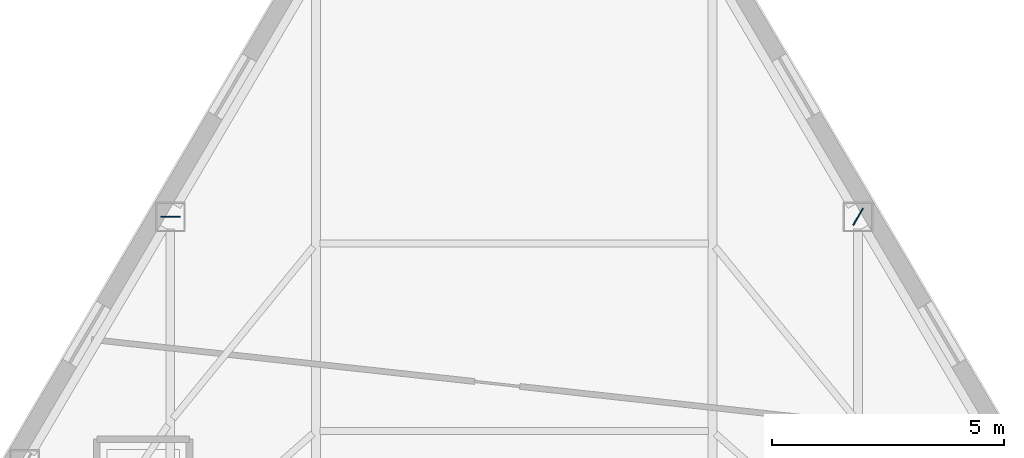
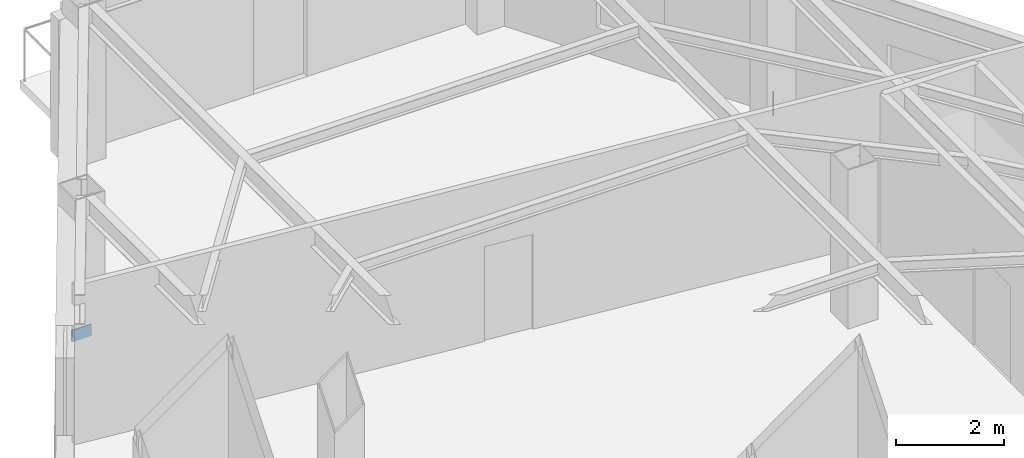
# One storey, part 6 of 12: 2 plates.
"""IFC4 building model written with IfcOpenShell, lengths in metres."""

from ifc_helpers import new_model, si_unit, direction, frame, origin, origin_2d, place, context, subcontext, project, spatial, rectangle, extrude, material, layer, layer_set, type_object, element, save


model = new_model("IFC4")

# Units and contexts
model_context = context("Model", 3, precision=1e-05, world=origin(), true_north=direction((0.0, 1.0)))
body_context = subcontext(model_context, "Body", "Model", "MODEL_VIEW")
ifc_project = project(units=[si_unit("LENGTHUNIT", "METRE"), si_unit("AREAUNIT", "SQUARE_METRE"), si_unit("VOLUMEUNIT", "CUBIC_METRE"), si_unit("PLANEANGLEUNIT", "RADIAN"), si_unit("MASSUNIT", "GRAM", prefix="KILO")], contexts=[model_context])

# Site, building, storey
site_placement = place(None, origin())
site = spatial("IfcSite", under=ifc_project, at=site_placement, CompositionType="ELEMENT")
building_placement = place(site_placement, origin())
building = spatial("IfcBuilding", under=site, at=building_placement, Name="Kavelnor Concourse Tower", CompositionType="ELEMENT")
storey_placement = place(building_placement, frame((0.0, 0.0, 203.5)))
storey = spatial("IfcBuildingStorey", under=building, at=storey_placement, Name="L51", CompositionType="ELEMENT", Elevation=203.5)

# Plates
ifc_material = material(Name="Steel Grade 350", Category="steel")
ifc_layer = layer(ifc_material, 0.02490234375, Name="Steel Grade 350")
ifc_layer_set = layer_set([ifc_layer], Name="Steel Grade 350")
plate_type = type_object("IfcPlateType", Name="PL-SPLICE-FLANGE", PredefinedType="SHEET", material=ifc_layer_set)
for number, where, z_axis, x_axis, name in (
    (1, (30.585205078125, 38.12060546875, 0.169921875), (0.0, 0.0, 1.0), (1.0, 0.0, 0.0), "L51 Column Flange Splice Plate F0-B1"),
    (2, (45.414794921875, 38.12060546875, 0.169921875), (0.0, 0.0, 1.0), (-0.5, -0.866025403784, 0.0), "L51 Column Flange Splice Plate F2-B5"),
):
    element("IfcPlate", number, at=place(storey_placement, frame(where, z_axis=z_axis, x_axis=x_axis)), inside=storey, type_object=plate_type, Name=name, PredefinedType="SHEET", context=body_context, shape_type="SweptSolid", body=[
        extrude(rectangle(XDim=0.419921875, YDim=0.02490234375, at=origin_2d()), origin(), (0.0, 0.0, 1.0), 0.260009765625),
    ])

save(model, "model.ifc")
